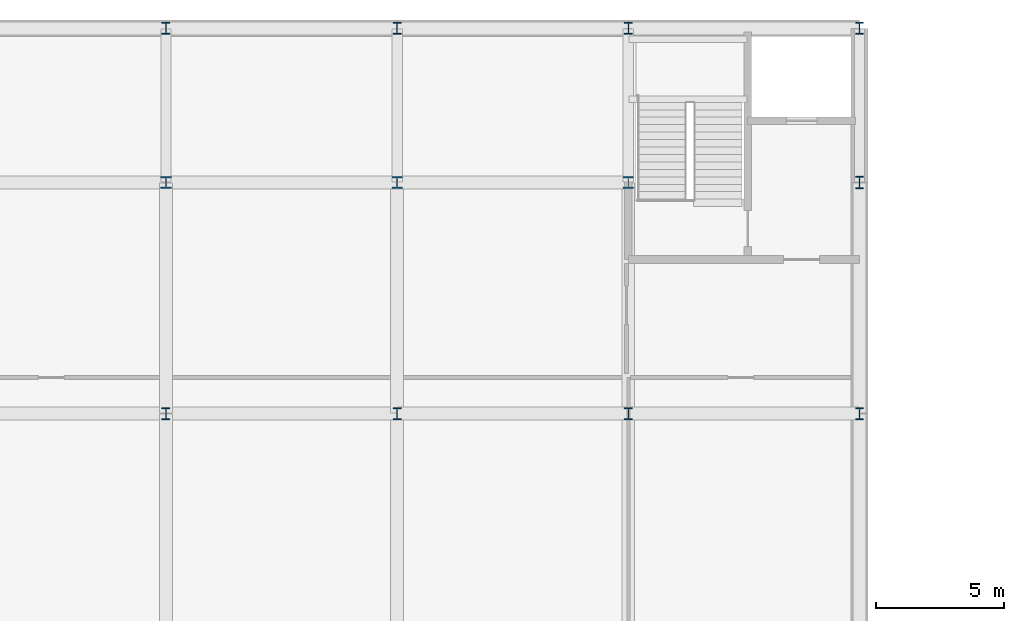
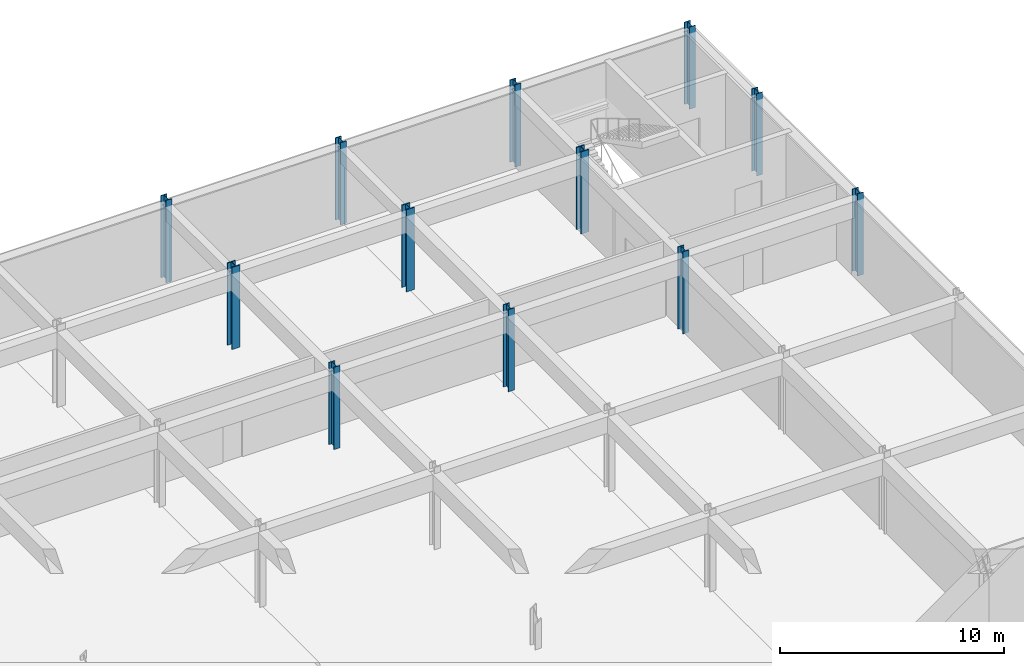
# One storey, part 14 of 35: 12 columns.
"""IFC4 building model written with IfcOpenShell, lengths in metres."""

from ifc_helpers import new_model, si_unit, direction, frame, origin, origin_2d, place, context, subcontext, project, spatial, i_section, extrude, material, material_profile, profile_set, type_object, element, save


model = new_model("IFC4")

# Units and contexts
model_context = context("Model", 3, precision=1e-05, world=origin(), true_north=direction((0.0, 1.0)))
body_context = subcontext(model_context, "Body", "Model", "MODEL_VIEW")
ifc_project = project(units=[si_unit("LENGTHUNIT", "METRE"), si_unit("AREAUNIT", "SQUARE_METRE"), si_unit("VOLUMEUNIT", "CUBIC_METRE"), si_unit("PLANEANGLEUNIT", "RADIAN"), si_unit("MASSUNIT", "GRAM", prefix="KILO")], contexts=[model_context])

# Site, building, storey
site_placement = place(None, origin())
site = spatial("IfcSite", under=ifc_project, at=site_placement, CompositionType="ELEMENT")
building_placement = place(site_placement, origin())
building = spatial("IfcBuilding", under=site, at=building_placement, Name="Palais des Congres Ocreval", CompositionType="ELEMENT")
storey_placement = place(building_placement, frame((0.0, 0.0, -4.47998046875)))
storey = spatial("IfcBuildingStorey", under=building, at=storey_placement, Name="B1", CompositionType="ELEMENT", Elevation=-4.47998046875)

# Columns
ifc_material_1 = material(Name="Steel S460", Category="steel")
ifc_material_profile_1 = material_profile(ifc_material_1, i_section(OverallWidth=0.41796875, OverallDepth=0.455078125, WebThickness=0.031982421875, FlangeThickness=0.055908203125, at=origin_2d()), Name="HD 400x551")
ifc_profile_set_1 = profile_set([ifc_material_profile_1], Name="Steel S460")
column_type_1 = type_object("IfcColumnType", Name="Column HD 400x551 Steel S460", PredefinedType="COLUMN", material=ifc_profile_set_1)
for number, where, z_axis, x_axis, name in (
    (1, (135.0, 108.0, 0.0), (0.0, 0.0, 1.0), (1.0, 0.0, 0.0), "Column C01 B1"),
    (2, (144.0, 108.0, 0.0), (0.0, 0.0, 1.0), (1.0, 0.0, 0.0), "Column C01 B1"),
    (3, (153.0, 108.0, 0.0), (0.0, 0.0, 1.0), (1.0, 0.0, 0.0), "Column C01 B1"),
):
    element("IfcColumn", number, at=place(storey_placement, frame(where, z_axis=z_axis, x_axis=x_axis)), inside=storey, type_object=column_type_1, Name=name, PredefinedType="COLUMN", context=body_context, shape_type="SweptSolid", body=[
        extrude(i_section(OverallWidth=0.41796875, OverallDepth=0.455078125, WebThickness=0.031982421875, FlangeThickness=0.055908203125, at=origin_2d()), origin(), (0.0, 0.0, 1.0), 4.47998046875),
    ])
ifc_material_2 = material(Name="Steel S355", Category="steel")
ifc_material_profile_2 = material_profile(ifc_material_2, i_section(OverallWidth=0.306884765625, OverallDepth=0.47802734375, WebThickness=0.02099609375, FlangeThickness=0.0400390625, at=origin_2d()), Name="HEM 450")
ifc_profile_set_2 = profile_set([ifc_material_profile_2], Name="Steel S355")
column_type_2 = type_object("IfcColumnType", Name="Column HEM 450 Steel S355", PredefinedType="COLUMN", material=ifc_profile_set_2)
for number, where, z_axis, x_axis, name in (
    (4, (135.0, 99.0, 0.0), (0.0, 0.0, 1.0), (1.0, 0.0, 0.0), "Column C06 B1"),
    (5, (135.0, 114.0, 0.0), (0.0, 0.0, 1.0), (1.0, 0.0, 0.0), "Column C06 B1"),
    (6, (144.0, 99.0, 0.0), (0.0, 0.0, 1.0), (1.0, 0.0, 0.0), "Column C06 B1"),
    (7, (144.0, 114.0, 0.0), (0.0, 0.0, 1.0), (1.0, 0.0, 0.0), "Column C06 B1"),
    (8, (153.0, 99.0, 0.0), (0.0, 0.0, 1.0), (1.0, 0.0, 0.0), "Column C06 B1"),
    (9, (153.0, 114.0, 0.0), (0.0, 0.0, 1.0), (1.0, 0.0, 0.0), "Column C06 B1"),
    (10, (162.0, 99.0, 0.0), (0.0, 0.0, 1.0), (1.0, 0.0, 0.0), "Column C06 B1"),
    (11, (162.0, 108.0, 0.0), (0.0, 0.0, 1.0), (1.0, 0.0, 0.0), "Column C06 B1"),
    (12, (162.0, 114.0, 0.0), (0.0, 0.0, 1.0), (1.0, 0.0, 0.0), "Column C06 B1"),
):
    element("IfcColumn", number, at=place(storey_placement, frame(where, z_axis=z_axis, x_axis=x_axis)), inside=storey, type_object=column_type_2, Name=name, PredefinedType="COLUMN", context=body_context, shape_type="SweptSolid", body=[
        extrude(i_section(OverallWidth=0.306884765625, OverallDepth=0.47802734375, WebThickness=0.02099609375, FlangeThickness=0.0400390625, at=origin_2d()), origin(), (0.0, 0.0, 1.0), 4.47998046875),
    ])

save(model, "model.ifc")
